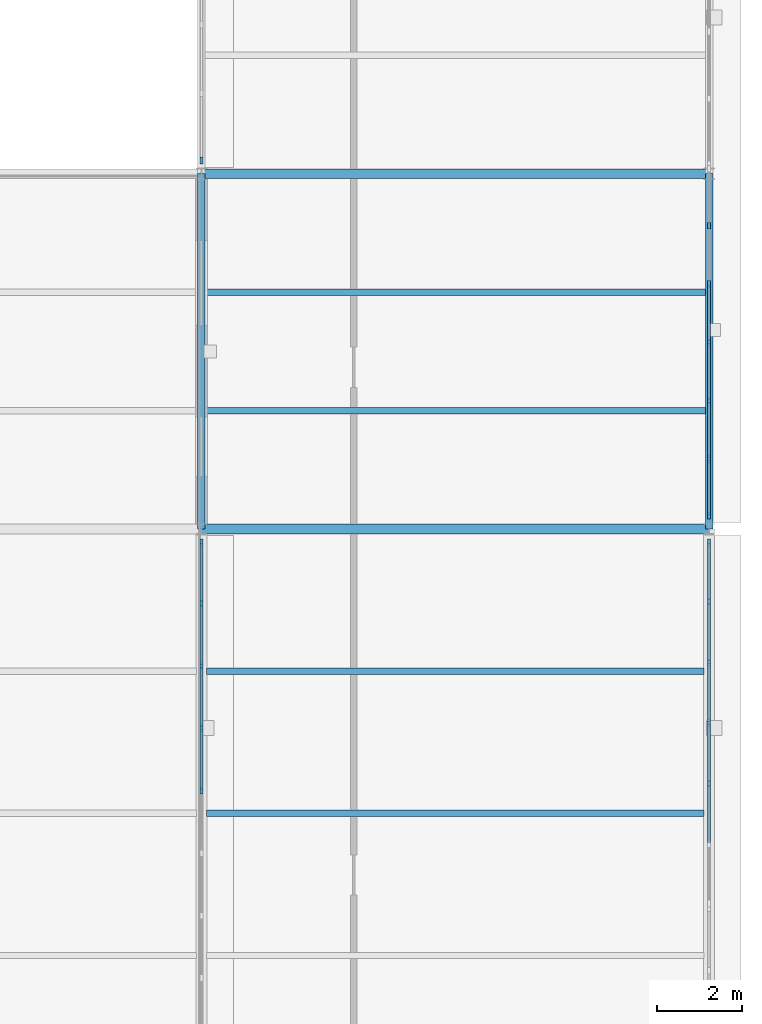
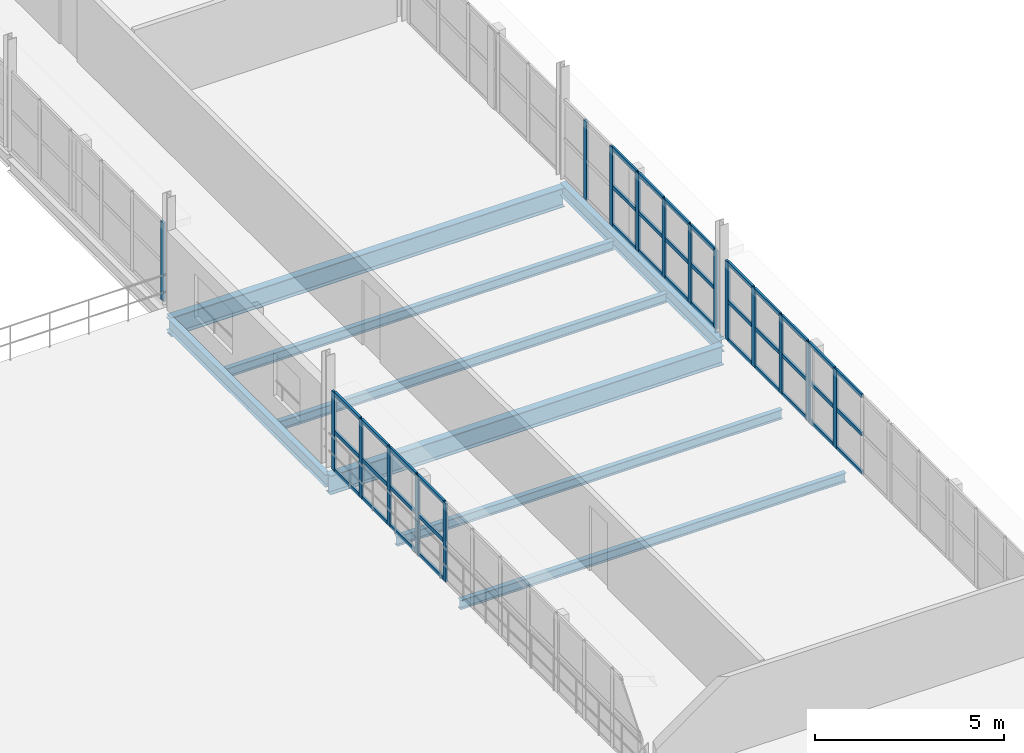
# One storey, part 41 of 74: 56 members, 8 beams, 4 elements without a shape of their own.
"""IFC4 building model written with IfcOpenShell, lengths in metres."""

from ifc_helpers import new_model, si_unit, direction, frame, origin, origin_2d, place, context, subcontext, project, spatial, rectangle, i_section, extrude, material, layer, layer_set, material_profile, profile_set, type_object, element, aggregate, save


model = new_model("IFC4")

# Units and contexts
model_context = context("Model", 3, precision=1e-05, world=origin(), true_north=direction((0.0, 1.0)))
body_context = subcontext(model_context, "Body", "Model", "MODEL_VIEW")
ifc_project = project(units=[si_unit("LENGTHUNIT", "METRE"), si_unit("AREAUNIT", "SQUARE_METRE"), si_unit("VOLUMEUNIT", "CUBIC_METRE"), si_unit("PLANEANGLEUNIT", "RADIAN"), si_unit("MASSUNIT", "GRAM", prefix="KILO"), si_unit("THERMODYNAMICTEMPERATUREUNIT", "KELVIN"), si_unit("POWERUNIT", "WATT")], contexts=[model_context])

# Site, building, storey
site_placement = place(None, origin())
site = spatial("IfcSite", under=ifc_project, at=site_placement, CompositionType="ELEMENT")
building_placement = place(site_placement, origin())
building = spatial("IfcBuilding", under=site, at=building_placement, Name="Tembeka Court Mobility Hub", CompositionType="ELEMENT")
storey_placement = place(building_placement, frame((0.0, 0.0, 12.60009765625)))
storey = spatial("IfcBuildingStorey", under=building, at=storey_placement, Name="L03", CompositionType="ELEMENT", Elevation=12.60009765625)

# Beams
ifc_material_1 = material(Name="Steel S355", Category="steel")
ifc_material_profile_1 = material_profile(ifc_material_1, i_section(OverallWidth=0.177978515625, OverallDepth=0.406005859375, WebThickness=0.0078125, FlangeThickness=0.0126953125, FilletRadius=0.01025390625, at=origin_2d()), Name="UKB 406x178x60")
ifc_profile_set_1 = profile_set([ifc_material_profile_1], Name="Steel S355")
beam_type_1 = type_object("IfcBeamType", Name="BM-B02", PredefinedType="BEAM", material=ifc_profile_set_1)
for number, where, z_axis, x_axis, name in (
    (1, (164.39990234375, 38.39990234375, -0.523193359375), (0.0, 1.0, 0.0), (-1.0, 0.0, 0.0), "Beam B02 (BM-L03-Y1937)"),
    (2, (176.39990234375, 38.39990234375, -0.39306640625), (0.0, 1.0, 0.0), (-1.0, 0.0, 0.0), "Beam B02 (BM-L03-Y1943)"),
):
    element("IfcBeam", number, at=place(storey_placement, frame(where, z_axis=z_axis, x_axis=x_axis)), inside=storey, type_object=beam_type_1, Name=name, PredefinedType="BEAM", context=body_context, shape_type="SweptSolid", body=[
        extrude(i_section(OverallWidth=0.177978515625, OverallDepth=0.406005859375, WebThickness=0.0078125, FlangeThickness=0.0126953125, FilletRadius=0.01025390625, at=origin_2d()), origin(), (0.0, 0.0, 1.0), 8.400146484375),
    ])
ifc_material_profile_2 = material_profile(ifc_material_1, i_section(OverallWidth=0.22900390625, OverallDepth=0.612060546875, WebThickness=0.011962890625, FlangeThickness=0.01953125, FilletRadius=0.0126953125, at=origin_2d()), Name="UKB 610x229x125")
ifc_profile_set_2 = profile_set([ifc_material_profile_2], Name="Steel S355")
beam_type_2 = type_object("IfcBeamType", Name="BM-G02", PredefinedType="USERDEFINED", material=ifc_profile_set_2)
for number, where, z_axis, x_axis, name in (
    (3, (164.39990234375, 38.39990234375, -0.6259765625), (1.0, 0.0, 0.0), (0.0, 1.0, 0.0), "Beam G02 (BM-L03-X1733)"),
    (4, (164.39990234375, 46.800048828125, -0.6259765625), (1.0, 0.0, 0.0), (0.0, 1.0, 0.0), "Beam G02 (BM-L03-X1747)"),
):
    element("IfcBeam", number, at=place(storey_placement, frame(where, z_axis=z_axis, x_axis=x_axis)), inside=storey, type_object=beam_type_2, Name=name, ObjectType="GIRDER", PredefinedType="USERDEFINED", context=body_context, shape_type="SweptSolid", body=[
        extrude(i_section(OverallWidth=0.22900390625, OverallDepth=0.612060546875, WebThickness=0.011962890625, FlangeThickness=0.01953125, FilletRadius=0.0126953125, at=origin_2d()), origin(), (0.0, 0.0, 1.0), 12.0),
    ])
ifc_material_profile_3 = material_profile(ifc_material_1, i_section(OverallWidth=0.14990234375, OverallDepth=0.300048828125, WebThickness=0.007080078125, FlangeThickness=0.0107421875, FilletRadius=0.014892578125, at=origin_2d()), Name="IPE 300")
ifc_profile_set_3 = profile_set([ifc_material_profile_3], Name="Steel S355")
beam_type_3 = type_object("IfcBeamType", Name="BM-J04", PredefinedType="JOIST", material=ifc_profile_set_3)
for number, where, z_axis, x_axis, name in (
    (5, (164.52197265625, 31.679931640625, -0.47021484375), (1.0, 0.0, 0.0), (0.0, 1.0, 0.0), "Beam J04 (JST-L03-2177)"),
    (6, (164.52197265625, 35.0400390625, -0.47021484375), (1.0, 0.0, 0.0), (0.0, 1.0, 0.0), "Beam J04 (JST-L03-2178)"),
):
    element("IfcBeam", number, at=place(storey_placement, frame(where, z_axis=z_axis, x_axis=x_axis)), inside=storey, type_object=beam_type_3, Name=name, PredefinedType="JOIST", context=body_context, shape_type="SweptSolid", body=[
        extrude(i_section(OverallWidth=0.14990234375, OverallDepth=0.300048828125, WebThickness=0.007080078125, FlangeThickness=0.0107421875, FilletRadius=0.014892578125, at=origin_2d()), origin(), (0.0, 0.0, 1.0), 11.756103515625),
    ])
for number, where, z_axis, x_axis, name in (
    (7, (164.48388671875, 41.199951171875, -0.47021484375), (1.0, 0.0, 0.0), (0.0, 1.0, 0.0), "Beam J04 (JST-L03-2179)"),
    (8, (164.48388671875, 44.0, -0.47021484375), (1.0, 0.0, 0.0), (0.0, 1.0, 0.0), "Beam J04 (JST-L03-2180)"),
):
    element("IfcBeam", number, at=place(storey_placement, frame(where, z_axis=z_axis, x_axis=x_axis)), inside=storey, type_object=beam_type_3, Name=name, PredefinedType="JOIST", context=body_context, shape_type="SweptSolid", body=[
        extrude(i_section(OverallWidth=0.14990234375, OverallDepth=0.300048828125, WebThickness=0.007080078125, FlangeThickness=0.0107421875, FilletRadius=0.014892578125, at=origin_2d()), origin(), (0.0, 0.0, 1.0), 11.83203125),
    ])

# Curtain wall, members
ifc_material_2 = material(Name="Anodised aluminium 6063-T6", Category="aluminium")
ifc_layer_1 = layer(ifc_material_2, 0.159912109375)
ifc_layer_set_1 = layer_set([ifc_layer_1], Name="Anodised aluminium 6063-T6")
curtain_wall_type_1 = type_object("IfcCurtainWallType", Name="CW-SYS52", PredefinedType="USERDEFINED", material=ifc_layer_set_1)
curtain_wall_1_placement = place(storey_placement, origin())
curtain_wall_1 = element("IfcCurtainWall", 9, at=curtain_wall_1_placement, inside=storey, type_object=curtain_wall_type_1, Name="Unitised curtain wall CW52 (CW-L03-137)", ObjectType="UNITISED GLAZING", PredefinedType="USERDEFINED")
ifc_material_profile_4 = material_profile(ifc_material_2, rectangle(XDim=0.06494140625, YDim=0.159912109375, at=origin_2d()), Name="ALU-MUL 65x160")
ifc_profile_set_4 = profile_set([ifc_material_profile_4], Name="Anodised aluminium 6063-T6")
member_type_1 = type_object("IfcMemberType", Name="CW-MUL01", PredefinedType="MULLION", material=ifc_profile_set_4)
member_1_placement = place(storey_placement, frame((176.39990234375, 32.384033203125, 0.0), z_axis=(0.0, 0.0, 1.0), x_axis=(-1.0, 0.0, 0.0)))
member_1 = element("IfcMember", 10, at=member_1_placement, type_object=member_type_1, Name="CW52 mullion 3", PredefinedType="MULLION", context=body_context, shape_type="SweptSolid", body=[
    extrude(rectangle(XDim=0.06494140625, YDim=0.159912109375, at=origin_2d()), origin(), (0.0, 0.0, 1.0), 2.534912109375),
])
member_2_placement = place(storey_placement, frame((176.39990234375, 33.818115234375, 0.0), z_axis=(0.0, 0.0, 1.0), x_axis=(-1.0, 0.0, 0.0)))
member_2 = element("IfcMember", 11, at=member_2_placement, type_object=member_type_1, Name="CW52 mullion 4", PredefinedType="MULLION", context=body_context, shape_type="SweptSolid", body=[
    extrude(rectangle(XDim=0.06494140625, YDim=0.159912109375, at=origin_2d()), origin(), (0.0, 0.0, 1.0), 2.534912109375),
])
member_3_placement = place(storey_placement, frame((176.39990234375, 35.251953125, 0.0), z_axis=(0.0, 0.0, 1.0), x_axis=(-1.0, 0.0, 0.0)))
member_3 = element("IfcMember", 12, at=member_3_placement, type_object=member_type_1, Name="CW52 mullion 5", PredefinedType="MULLION", context=body_context, shape_type="SweptSolid", body=[
    extrude(rectangle(XDim=0.06494140625, YDim=0.159912109375, at=origin_2d()), origin(), (0.0, 0.0, 1.0), 2.534912109375),
])
member_4_placement = place(storey_placement, frame((176.39990234375, 36.68603515625, 0.0), z_axis=(0.0, 0.0, 1.0), x_axis=(-1.0, 0.0, 0.0)))
member_4 = element("IfcMember", 13, at=member_4_placement, type_object=member_type_1, Name="CW52 mullion 6", PredefinedType="MULLION", context=body_context, shape_type="SweptSolid", body=[
    extrude(rectangle(XDim=0.06494140625, YDim=0.159912109375, at=origin_2d()), origin(), (0.0, 0.0, 1.0), 2.534912109375),
])
member_5_placement = place(storey_placement, frame((176.39990234375, 38.08740234375, 0.0), z_axis=(0.0, 0.0, 1.0), x_axis=(-1.0, 0.0, 0.0)))
member_5 = element("IfcMember", 14, at=member_5_placement, type_object=member_type_1, Name="CW52 mullion 7", PredefinedType="MULLION", context=body_context, shape_type="SweptSolid", body=[
    extrude(rectangle(XDim=0.06494140625, YDim=0.159912109375, at=origin_2d()), origin(), (0.0, 0.0, 1.0), 2.534912109375),
])

ifc_layer_2 = layer(ifc_material_2, 0.159912109375)
ifc_layer_set_2 = layer_set([ifc_layer_2], Name="Anodised aluminium 6063-T6")
curtain_wall_type_2 = type_object("IfcCurtainWallType", Name="CW-SYS53", PredefinedType="USERDEFINED", material=ifc_layer_set_2)
curtain_wall_2_placement = place(storey_placement, origin())
curtain_wall_2 = element("IfcCurtainWall", 15, at=curtain_wall_2_placement, inside=storey, type_object=curtain_wall_type_2, Name="Unitised curtain wall CW53 (CW-L03-138)", ObjectType="UNITISED GLAZING", PredefinedType="USERDEFINED")
member_6_placement = place(storey_placement, frame((176.39990234375, 38.71240234375, 0.0), z_axis=(0.0, 0.0, 1.0), x_axis=(-1.0, 0.0, 0.0)))
member_6 = element("IfcMember", 16, at=member_6_placement, type_object=member_type_1, Name="CW53 mullion 1", PredefinedType="MULLION", context=body_context, shape_type="SweptSolid", body=[
    extrude(rectangle(XDim=0.06494140625, YDim=0.159912109375, at=origin_2d()), origin(), (0.0, 0.0, 1.0), 2.534912109375),
])
member_7_placement = place(storey_placement, frame((176.39990234375, 40.05810546875, 0.0), z_axis=(0.0, 0.0, 1.0), x_axis=(-1.0, 0.0, 0.0)))
member_7 = element("IfcMember", 17, at=member_7_placement, type_object=member_type_1, Name="CW53 mullion 2", PredefinedType="MULLION", context=body_context, shape_type="SweptSolid", body=[
    extrude(rectangle(XDim=0.06494140625, YDim=0.159912109375, at=origin_2d()), origin(), (0.0, 0.0, 1.0), 2.534912109375),
])
member_8_placement = place(storey_placement, frame((176.39990234375, 41.43603515625, 0.0), z_axis=(0.0, 0.0, 1.0), x_axis=(-1.0, 0.0, 0.0)))
member_8 = element("IfcMember", 18, at=member_8_placement, type_object=member_type_1, Name="CW53 mullion 3", PredefinedType="MULLION", context=body_context, shape_type="SweptSolid", body=[
    extrude(rectangle(XDim=0.06494140625, YDim=0.159912109375, at=origin_2d()), origin(), (0.0, 0.0, 1.0), 2.534912109375),
])
member_9_placement = place(storey_placement, frame((176.39990234375, 42.81396484375, 0.0), z_axis=(0.0, 0.0, 1.0), x_axis=(-1.0, 0.0, 0.0)))
member_9 = element("IfcMember", 19, at=member_9_placement, type_object=member_type_1, Name="CW53 mullion 4", PredefinedType="MULLION", context=body_context, shape_type="SweptSolid", body=[
    extrude(rectangle(XDim=0.06494140625, YDim=0.159912109375, at=origin_2d()), origin(), (0.0, 0.0, 1.0), 2.534912109375),
])
member_10_placement = place(storey_placement, frame((176.39990234375, 44.19189453125, 0.0), z_axis=(0.0, 0.0, 1.0), x_axis=(-1.0, 0.0, 0.0)))
member_10 = element("IfcMember", 20, at=member_10_placement, type_object=member_type_1, Name="CW53 mullion 5", PredefinedType="MULLION", context=body_context, shape_type="SweptSolid", body=[
    extrude(rectangle(XDim=0.06494140625, YDim=0.159912109375, at=origin_2d()), origin(), (0.0, 0.0, 1.0), 2.534912109375),
])
member_11_placement = place(storey_placement, frame((176.39990234375, 45.570068359375, 0.0), z_axis=(0.0, 0.0, 1.0), x_axis=(-1.0, 0.0, 0.0)))
member_11 = element("IfcMember", 21, at=member_11_placement, type_object=member_type_1, Name="CW53 mullion 6", PredefinedType="MULLION", context=body_context, shape_type="SweptSolid", body=[
    extrude(rectangle(XDim=0.06494140625, YDim=0.159912109375, at=origin_2d()), origin(), (0.0, 0.0, 1.0), 2.534912109375),
])

# Curtain wall, member
ifc_layer_3 = layer(ifc_material_2, 0.159912109375)
ifc_layer_set_3 = layer_set([ifc_layer_3], Name="Anodised aluminium 6063-T6")
curtain_wall_type_3 = type_object("IfcCurtainWallType", Name="CW-SYS46", PredefinedType="USERDEFINED", material=ifc_layer_set_3)
curtain_wall_3_placement = place(storey_placement, origin())
curtain_wall_3 = element("IfcCurtainWall", 22, at=curtain_wall_3_placement, inside=storey, type_object=curtain_wall_type_3, Name="Unitised curtain wall CW46 (CW-L03-140)", ObjectType="UNITISED GLAZING", PredefinedType="USERDEFINED")
member_12_placement = place(storey_placement, frame((164.39990234375, 47.112548828125, 0.0), z_axis=(0.0, 0.0, 1.0), x_axis=(-1.0, 0.0, 0.0)))
member_12 = element("IfcMember", 23, at=member_12_placement, type_object=member_type_1, Name="CW46 mullion 1", PredefinedType="MULLION", context=body_context, shape_type="SweptSolid", body=[
    extrude(rectangle(XDim=0.06494140625, YDim=0.159912109375, at=origin_2d()), origin(), (0.0, 0.0, 1.0), 2.534912109375),
])
aggregate(curtain_wall_3, [member_12])

# Curtain wall, members
curtain_wall_4_placement = place(storey_placement, origin())
curtain_wall_4 = element("IfcCurtainWall", 24, at=curtain_wall_4_placement, inside=storey, type_object=curtain_wall_type_3, Name="Unitised curtain wall CW46 (CW-L03-141)", ObjectType="UNITISED GLAZING", PredefinedType="USERDEFINED")
member_13_placement = place(storey_placement, frame((164.39990234375, 32.214599609375, 0.0), z_axis=(0.0, 0.0, 1.0), x_axis=(-1.0, 0.0, 0.0)))
member_13 = element("IfcMember", 25, at=member_13_placement, type_object=member_type_1, Name="CW46 mullion 8", PredefinedType="MULLION", context=body_context, shape_type="SweptSolid", body=[
    extrude(rectangle(XDim=0.06494140625, YDim=0.159912109375, at=origin_2d()), origin(), (0.0, 0.0, 1.0), 2.534912109375),
])
member_14_placement = place(storey_placement, frame((164.39990234375, 33.69091796875, 0.0), z_axis=(0.0, 0.0, 1.0), x_axis=(-1.0, 0.0, 0.0)))
member_14 = element("IfcMember", 26, at=member_14_placement, type_object=member_type_1, Name="CW46 mullion 9", PredefinedType="MULLION", context=body_context, shape_type="SweptSolid", body=[
    extrude(rectangle(XDim=0.06494140625, YDim=0.159912109375, at=origin_2d()), origin(), (0.0, 0.0, 1.0), 2.534912109375),
])
member_15_placement = place(storey_placement, frame((164.39990234375, 35.167236328125, 0.0), z_axis=(0.0, 0.0, 1.0), x_axis=(-1.0, 0.0, 0.0)))
member_15 = element("IfcMember", 27, at=member_15_placement, type_object=member_type_1, Name="CW46 mullion 10", PredefinedType="MULLION", context=body_context, shape_type="SweptSolid", body=[
    extrude(rectangle(XDim=0.06494140625, YDim=0.159912109375, at=origin_2d()), origin(), (0.0, 0.0, 1.0), 2.534912109375),
])
member_16_placement = place(storey_placement, frame((164.39990234375, 36.6435546875, 0.0), z_axis=(0.0, 0.0, 1.0), x_axis=(-1.0, 0.0, 0.0)))
member_16 = element("IfcMember", 28, at=member_16_placement, type_object=member_type_1, Name="CW46 mullion 11", PredefinedType="MULLION", context=body_context, shape_type="SweptSolid", body=[
    extrude(rectangle(XDim=0.06494140625, YDim=0.159912109375, at=origin_2d()), origin(), (0.0, 0.0, 1.0), 2.534912109375),
])
member_17_placement = place(storey_placement, frame((164.39990234375, 38.08740234375, 0.0), z_axis=(0.0, 0.0, 1.0), x_axis=(-1.0, 0.0, 0.0)))
member_17 = element("IfcMember", 29, at=member_17_placement, type_object=member_type_1, Name="CW46 mullion 12", PredefinedType="MULLION", context=body_context, shape_type="SweptSolid", body=[
    extrude(rectangle(XDim=0.06494140625, YDim=0.159912109375, at=origin_2d()), origin(), (0.0, 0.0, 1.0), 2.534912109375),
])

# Member
ifc_material_profile_5 = material_profile(ifc_material_2, rectangle(XDim=0.06494140625, YDim=0.1201171875, at=origin_2d()), Name="ALU-TRN 65x120")
ifc_profile_set_5 = profile_set([ifc_material_profile_5], Name="Anodised aluminium 6063-T6")
member_type_2 = type_object("IfcMemberType", Name="CW-TRN01", PredefinedType="USERDEFINED", material=ifc_profile_set_5)
member_18_placement = place(storey_placement, frame((176.39990234375, 30.982421875, 0.032470703125), z_axis=(0.0, 1.0, 0.0), x_axis=(-1.0, 0.0, 0.0)))
member_18 = element("IfcMember", 30, at=member_18_placement, type_object=member_type_2, Name="CW52 transom 2.1", ObjectType="TRANSOM", PredefinedType="USERDEFINED", context=body_context, shape_type="SweptSolid", body=[
    extrude(rectangle(XDim=0.06494140625, YDim=0.1201171875, at=origin_2d()), origin(), (0.0, 0.0, 1.0), 1.369140625),
])

member_19_placement = place(storey_placement, frame((176.39990234375, 30.982421875, 1.267333984375), z_axis=(0.0, 1.0, 0.0), x_axis=(-1.0, 0.0, 0.0)))
member_19 = element("IfcMember", 31, at=member_19_placement, type_object=member_type_2, Name="CW52 transom 2.2", ObjectType="TRANSOM", PredefinedType="USERDEFINED", context=body_context, shape_type="SweptSolid", body=[
    extrude(rectangle(XDim=0.06494140625, YDim=0.1201171875, at=origin_2d()), origin(), (0.0, 0.0, 1.0), 1.369140625),
])

member_20_placement = place(storey_placement, frame((176.39990234375, 30.982421875, 2.50244140625), z_axis=(0.0, 1.0, 0.0), x_axis=(-1.0, 0.0, 0.0)))
member_20 = element("IfcMember", 32, at=member_20_placement, type_object=member_type_2, Name="CW52 transom 2.3", ObjectType="TRANSOM", PredefinedType="USERDEFINED", context=body_context, shape_type="SweptSolid", body=[
    extrude(rectangle(XDim=0.06494140625, YDim=0.1201171875, at=origin_2d()), origin(), (0.0, 0.0, 1.0), 1.369140625),
])

member_21_placement = place(storey_placement, frame((176.39990234375, 32.41650390625, 0.032470703125), z_axis=(0.0, 1.0, 0.0), x_axis=(-1.0, 0.0, 0.0)))
member_21 = element("IfcMember", 33, at=member_21_placement, type_object=member_type_2, Name="CW52 transom 3.1", ObjectType="TRANSOM", PredefinedType="USERDEFINED", context=body_context, shape_type="SweptSolid", body=[
    extrude(rectangle(XDim=0.06494140625, YDim=0.1201171875, at=origin_2d()), origin(), (0.0, 0.0, 1.0), 1.368896484375),
])

member_22_placement = place(storey_placement, frame((176.39990234375, 32.41650390625, 1.267333984375), z_axis=(0.0, 1.0, 0.0), x_axis=(-1.0, 0.0, 0.0)))
member_22 = element("IfcMember", 34, at=member_22_placement, type_object=member_type_2, Name="CW52 transom 3.2", ObjectType="TRANSOM", PredefinedType="USERDEFINED", context=body_context, shape_type="SweptSolid", body=[
    extrude(rectangle(XDim=0.06494140625, YDim=0.1201171875, at=origin_2d()), origin(), (0.0, 0.0, 1.0), 1.368896484375),
])

member_23_placement = place(storey_placement, frame((176.39990234375, 32.41650390625, 2.50244140625), z_axis=(0.0, 1.0, 0.0), x_axis=(-1.0, 0.0, 0.0)))
member_23 = element("IfcMember", 35, at=member_23_placement, type_object=member_type_2, Name="CW52 transom 3.3", ObjectType="TRANSOM", PredefinedType="USERDEFINED", context=body_context, shape_type="SweptSolid", body=[
    extrude(rectangle(XDim=0.06494140625, YDim=0.1201171875, at=origin_2d()), origin(), (0.0, 0.0, 1.0), 1.368896484375),
])

member_24_placement = place(storey_placement, frame((176.39990234375, 33.8505859375, 0.032470703125), z_axis=(0.0, 1.0, 0.0), x_axis=(-1.0, 0.0, 0.0)))
member_24 = element("IfcMember", 36, at=member_24_placement, type_object=member_type_2, Name="CW52 transom 4.1", ObjectType="TRANSOM", PredefinedType="USERDEFINED", context=body_context, shape_type="SweptSolid", body=[
    extrude(rectangle(XDim=0.06494140625, YDim=0.1201171875, at=origin_2d()), origin(), (0.0, 0.0, 1.0), 1.368896484375),
])

member_25_placement = place(storey_placement, frame((176.39990234375, 33.8505859375, 1.267333984375), z_axis=(0.0, 1.0, 0.0), x_axis=(-1.0, 0.0, 0.0)))
member_25 = element("IfcMember", 37, at=member_25_placement, type_object=member_type_2, Name="CW52 transom 4.2", ObjectType="TRANSOM", PredefinedType="USERDEFINED", context=body_context, shape_type="SweptSolid", body=[
    extrude(rectangle(XDim=0.06494140625, YDim=0.1201171875, at=origin_2d()), origin(), (0.0, 0.0, 1.0), 1.368896484375),
])

member_26_placement = place(storey_placement, frame((176.39990234375, 33.8505859375, 2.50244140625), z_axis=(0.0, 1.0, 0.0), x_axis=(-1.0, 0.0, 0.0)))
member_26 = element("IfcMember", 38, at=member_26_placement, type_object=member_type_2, Name="CW52 transom 4.3", ObjectType="TRANSOM", PredefinedType="USERDEFINED", context=body_context, shape_type="SweptSolid", body=[
    extrude(rectangle(XDim=0.06494140625, YDim=0.1201171875, at=origin_2d()), origin(), (0.0, 0.0, 1.0), 1.368896484375),
])

member_27_placement = place(storey_placement, frame((176.39990234375, 35.284423828125, 0.032470703125), z_axis=(0.0, 1.0, 0.0), x_axis=(-1.0, 0.0, 0.0)))
member_27 = element("IfcMember", 39, at=member_27_placement, type_object=member_type_2, Name="CW52 transom 5.1", ObjectType="TRANSOM", PredefinedType="USERDEFINED", context=body_context, shape_type="SweptSolid", body=[
    extrude(rectangle(XDim=0.06494140625, YDim=0.1201171875, at=origin_2d()), origin(), (0.0, 0.0, 1.0), 1.369140625),
])

member_28_placement = place(storey_placement, frame((176.39990234375, 35.284423828125, 1.267333984375), z_axis=(0.0, 1.0, 0.0), x_axis=(-1.0, 0.0, 0.0)))
member_28 = element("IfcMember", 40, at=member_28_placement, type_object=member_type_2, Name="CW52 transom 5.2", ObjectType="TRANSOM", PredefinedType="USERDEFINED", context=body_context, shape_type="SweptSolid", body=[
    extrude(rectangle(XDim=0.06494140625, YDim=0.1201171875, at=origin_2d()), origin(), (0.0, 0.0, 1.0), 1.369140625),
])

member_29_placement = place(storey_placement, frame((176.39990234375, 35.284423828125, 2.50244140625), z_axis=(0.0, 1.0, 0.0), x_axis=(-1.0, 0.0, 0.0)))
member_29 = element("IfcMember", 41, at=member_29_placement, type_object=member_type_2, Name="CW52 transom 5.3", ObjectType="TRANSOM", PredefinedType="USERDEFINED", context=body_context, shape_type="SweptSolid", body=[
    extrude(rectangle(XDim=0.06494140625, YDim=0.1201171875, at=origin_2d()), origin(), (0.0, 0.0, 1.0), 1.369140625),
])

member_30_placement = place(storey_placement, frame((176.39990234375, 36.718505859375, 0.032470703125), z_axis=(0.0, 1.0, 0.0), x_axis=(-1.0, 0.0, 0.0)))
member_30 = element("IfcMember", 42, at=member_30_placement, type_object=member_type_2, Name="CW52 transom 6.1", ObjectType="TRANSOM", PredefinedType="USERDEFINED", context=body_context, shape_type="SweptSolid", body=[
    extrude(rectangle(XDim=0.06494140625, YDim=0.1201171875, at=origin_2d()), origin(), (0.0, 0.0, 1.0), 1.33642578125),
])

member_31_placement = place(storey_placement, frame((176.39990234375, 36.718505859375, 1.267333984375), z_axis=(0.0, 1.0, 0.0), x_axis=(-1.0, 0.0, 0.0)))
member_31 = element("IfcMember", 43, at=member_31_placement, type_object=member_type_2, Name="CW52 transom 6.2", ObjectType="TRANSOM", PredefinedType="USERDEFINED", context=body_context, shape_type="SweptSolid", body=[
    extrude(rectangle(XDim=0.06494140625, YDim=0.1201171875, at=origin_2d()), origin(), (0.0, 0.0, 1.0), 1.33642578125),
])

member_32_placement = place(storey_placement, frame((176.39990234375, 36.718505859375, 2.50244140625), z_axis=(0.0, 1.0, 0.0), x_axis=(-1.0, 0.0, 0.0)))
member_32 = element("IfcMember", 44, at=member_32_placement, type_object=member_type_2, Name="CW52 transom 6.3", ObjectType="TRANSOM", PredefinedType="USERDEFINED", context=body_context, shape_type="SweptSolid", body=[
    extrude(rectangle(XDim=0.06494140625, YDim=0.1201171875, at=origin_2d()), origin(), (0.0, 0.0, 1.0), 1.33642578125),
])

aggregate(curtain_wall_1, [member_1, member_2, member_3, member_4, member_5, member_18, member_19, member_20, member_21, member_22, member_23, member_24, member_25, member_26, member_27, member_28, member_29, member_30, member_31, member_32])

member_33_placement = place(storey_placement, frame((176.39990234375, 38.7451171875, 0.032470703125), z_axis=(0.0, 1.0, 0.0), x_axis=(-1.0, 0.0, 0.0)))
member_33 = element("IfcMember", 45, at=member_33_placement, type_object=member_type_2, Name="CW53 transom 1.1", ObjectType="TRANSOM", PredefinedType="USERDEFINED", context=body_context, shape_type="SweptSolid", body=[
    extrude(rectangle(XDim=0.06494140625, YDim=0.1201171875, at=origin_2d()), origin(), (0.0, 0.0, 1.0), 1.2802734375),
])

member_34_placement = place(storey_placement, frame((176.39990234375, 38.7451171875, 1.267333984375), z_axis=(0.0, 1.0, 0.0), x_axis=(-1.0, 0.0, 0.0)))
member_34 = element("IfcMember", 46, at=member_34_placement, type_object=member_type_2, Name="CW53 transom 1.2", ObjectType="TRANSOM", PredefinedType="USERDEFINED", context=body_context, shape_type="SweptSolid", body=[
    extrude(rectangle(XDim=0.06494140625, YDim=0.1201171875, at=origin_2d()), origin(), (0.0, 0.0, 1.0), 1.2802734375),
])

member_35_placement = place(storey_placement, frame((176.39990234375, 38.7451171875, 2.50244140625), z_axis=(0.0, 1.0, 0.0), x_axis=(-1.0, 0.0, 0.0)))
member_35 = element("IfcMember", 47, at=member_35_placement, type_object=member_type_2, Name="CW53 transom 1.3", ObjectType="TRANSOM", PredefinedType="USERDEFINED", context=body_context, shape_type="SweptSolid", body=[
    extrude(rectangle(XDim=0.06494140625, YDim=0.1201171875, at=origin_2d()), origin(), (0.0, 0.0, 1.0), 1.2802734375),
])

member_36_placement = place(storey_placement, frame((176.39990234375, 40.090576171875, 0.032470703125), z_axis=(0.0, 1.0, 0.0), x_axis=(-1.0, 0.0, 0.0)))
member_36 = element("IfcMember", 48, at=member_36_placement, type_object=member_type_2, Name="CW53 transom 2.1", ObjectType="TRANSOM", PredefinedType="USERDEFINED", context=body_context, shape_type="SweptSolid", body=[
    extrude(rectangle(XDim=0.06494140625, YDim=0.1201171875, at=origin_2d()), origin(), (0.0, 0.0, 1.0), 1.31298828125),
])

member_37_placement = place(storey_placement, frame((176.39990234375, 40.090576171875, 1.267333984375), z_axis=(0.0, 1.0, 0.0), x_axis=(-1.0, 0.0, 0.0)))
member_37 = element("IfcMember", 49, at=member_37_placement, type_object=member_type_2, Name="CW53 transom 2.2", ObjectType="TRANSOM", PredefinedType="USERDEFINED", context=body_context, shape_type="SweptSolid", body=[
    extrude(rectangle(XDim=0.06494140625, YDim=0.1201171875, at=origin_2d()), origin(), (0.0, 0.0, 1.0), 1.31298828125),
])

member_38_placement = place(storey_placement, frame((176.39990234375, 40.090576171875, 2.50244140625), z_axis=(0.0, 1.0, 0.0), x_axis=(-1.0, 0.0, 0.0)))
member_38 = element("IfcMember", 50, at=member_38_placement, type_object=member_type_2, Name="CW53 transom 2.3", ObjectType="TRANSOM", PredefinedType="USERDEFINED", context=body_context, shape_type="SweptSolid", body=[
    extrude(rectangle(XDim=0.06494140625, YDim=0.1201171875, at=origin_2d()), origin(), (0.0, 0.0, 1.0), 1.31298828125),
])

member_39_placement = place(storey_placement, frame((176.39990234375, 41.468505859375, 0.032470703125), z_axis=(0.0, 1.0, 0.0), x_axis=(-1.0, 0.0, 0.0)))
member_39 = element("IfcMember", 51, at=member_39_placement, type_object=member_type_2, Name="CW53 transom 3.1", ObjectType="TRANSOM", PredefinedType="USERDEFINED", context=body_context, shape_type="SweptSolid", body=[
    extrude(rectangle(XDim=0.06494140625, YDim=0.1201171875, at=origin_2d()), origin(), (0.0, 0.0, 1.0), 1.31298828125),
])

member_40_placement = place(storey_placement, frame((176.39990234375, 41.468505859375, 1.267333984375), z_axis=(0.0, 1.0, 0.0), x_axis=(-1.0, 0.0, 0.0)))
member_40 = element("IfcMember", 52, at=member_40_placement, type_object=member_type_2, Name="CW53 transom 3.2", ObjectType="TRANSOM", PredefinedType="USERDEFINED", context=body_context, shape_type="SweptSolid", body=[
    extrude(rectangle(XDim=0.06494140625, YDim=0.1201171875, at=origin_2d()), origin(), (0.0, 0.0, 1.0), 1.31298828125),
])

member_41_placement = place(storey_placement, frame((176.39990234375, 41.468505859375, 2.50244140625), z_axis=(0.0, 1.0, 0.0), x_axis=(-1.0, 0.0, 0.0)))
member_41 = element("IfcMember", 53, at=member_41_placement, type_object=member_type_2, Name="CW53 transom 3.3", ObjectType="TRANSOM", PredefinedType="USERDEFINED", context=body_context, shape_type="SweptSolid", body=[
    extrude(rectangle(XDim=0.06494140625, YDim=0.1201171875, at=origin_2d()), origin(), (0.0, 0.0, 1.0), 1.31298828125),
])

member_42_placement = place(storey_placement, frame((176.39990234375, 42.846435546875, 0.032470703125), z_axis=(0.0, 1.0, 0.0), x_axis=(-1.0, 0.0, 0.0)))
member_42 = element("IfcMember", 54, at=member_42_placement, type_object=member_type_2, Name="CW53 transom 4.1", ObjectType="TRANSOM", PredefinedType="USERDEFINED", context=body_context, shape_type="SweptSolid", body=[
    extrude(rectangle(XDim=0.06494140625, YDim=0.1201171875, at=origin_2d()), origin(), (0.0, 0.0, 1.0), 1.31298828125),
])

member_43_placement = place(storey_placement, frame((176.39990234375, 42.846435546875, 1.267333984375), z_axis=(0.0, 1.0, 0.0), x_axis=(-1.0, 0.0, 0.0)))
member_43 = element("IfcMember", 55, at=member_43_placement, type_object=member_type_2, Name="CW53 transom 4.2", ObjectType="TRANSOM", PredefinedType="USERDEFINED", context=body_context, shape_type="SweptSolid", body=[
    extrude(rectangle(XDim=0.06494140625, YDim=0.1201171875, at=origin_2d()), origin(), (0.0, 0.0, 1.0), 1.31298828125),
])

member_44_placement = place(storey_placement, frame((176.39990234375, 42.846435546875, 2.50244140625), z_axis=(0.0, 1.0, 0.0), x_axis=(-1.0, 0.0, 0.0)))
member_44 = element("IfcMember", 56, at=member_44_placement, type_object=member_type_2, Name="CW53 transom 4.3", ObjectType="TRANSOM", PredefinedType="USERDEFINED", context=body_context, shape_type="SweptSolid", body=[
    extrude(rectangle(XDim=0.06494140625, YDim=0.1201171875, at=origin_2d()), origin(), (0.0, 0.0, 1.0), 1.31298828125),
])

aggregate(curtain_wall_2, [member_6, member_7, member_8, member_9, member_10, member_11, member_33, member_34, member_35, member_36, member_37, member_38, member_39, member_40, member_41, member_42, member_43, member_44])

member_45_placement = place(storey_placement, frame((164.39990234375, 32.2470703125, 0.032470703125), z_axis=(0.0, 1.0, 0.0), x_axis=(-1.0, 0.0, 0.0)))
member_45 = element("IfcMember", 57, at=member_45_placement, type_object=member_type_2, Name="CW46 transom 8.1", ObjectType="TRANSOM", PredefinedType="USERDEFINED", context=body_context, shape_type="SweptSolid", body=[
    extrude(rectangle(XDim=0.06494140625, YDim=0.1201171875, at=origin_2d()), origin(), (0.0, 0.0, 1.0), 1.411376953125),
])

member_46_placement = place(storey_placement, frame((164.39990234375, 32.2470703125, 1.267333984375), z_axis=(0.0, 1.0, 0.0), x_axis=(-1.0, 0.0, 0.0)))
member_46 = element("IfcMember", 58, at=member_46_placement, type_object=member_type_2, Name="CW46 transom 8.2", ObjectType="TRANSOM", PredefinedType="USERDEFINED", context=body_context, shape_type="SweptSolid", body=[
    extrude(rectangle(XDim=0.06494140625, YDim=0.1201171875, at=origin_2d()), origin(), (0.0, 0.0, 1.0), 1.411376953125),
])

member_47_placement = place(storey_placement, frame((164.39990234375, 32.2470703125, 2.50244140625), z_axis=(0.0, 1.0, 0.0), x_axis=(-1.0, 0.0, 0.0)))
member_47 = element("IfcMember", 59, at=member_47_placement, type_object=member_type_2, Name="CW46 transom 8.3", ObjectType="TRANSOM", PredefinedType="USERDEFINED", context=body_context, shape_type="SweptSolid", body=[
    extrude(rectangle(XDim=0.06494140625, YDim=0.1201171875, at=origin_2d()), origin(), (0.0, 0.0, 1.0), 1.411376953125),
])

member_48_placement = place(storey_placement, frame((164.39990234375, 33.723388671875, 0.032470703125), z_axis=(0.0, 1.0, 0.0), x_axis=(-1.0, 0.0, 0.0)))
member_48 = element("IfcMember", 60, at=member_48_placement, type_object=member_type_2, Name="CW46 transom 9.1", ObjectType="TRANSOM", PredefinedType="USERDEFINED", context=body_context, shape_type="SweptSolid", body=[
    extrude(rectangle(XDim=0.06494140625, YDim=0.1201171875, at=origin_2d()), origin(), (0.0, 0.0, 1.0), 1.411376953125),
])

member_49_placement = place(storey_placement, frame((164.39990234375, 33.723388671875, 1.267333984375), z_axis=(0.0, 1.0, 0.0), x_axis=(-1.0, 0.0, 0.0)))
member_49 = element("IfcMember", 61, at=member_49_placement, type_object=member_type_2, Name="CW46 transom 9.2", ObjectType="TRANSOM", PredefinedType="USERDEFINED", context=body_context, shape_type="SweptSolid", body=[
    extrude(rectangle(XDim=0.06494140625, YDim=0.1201171875, at=origin_2d()), origin(), (0.0, 0.0, 1.0), 1.411376953125),
])

member_50_placement = place(storey_placement, frame((164.39990234375, 33.723388671875, 2.50244140625), z_axis=(0.0, 1.0, 0.0), x_axis=(-1.0, 0.0, 0.0)))
member_50 = element("IfcMember", 62, at=member_50_placement, type_object=member_type_2, Name="CW46 transom 9.3", ObjectType="TRANSOM", PredefinedType="USERDEFINED", context=body_context, shape_type="SweptSolid", body=[
    extrude(rectangle(XDim=0.06494140625, YDim=0.1201171875, at=origin_2d()), origin(), (0.0, 0.0, 1.0), 1.411376953125),
])

member_51_placement = place(storey_placement, frame((164.39990234375, 35.19970703125, 0.032470703125), z_axis=(0.0, 1.0, 0.0), x_axis=(-1.0, 0.0, 0.0)))
member_51 = element("IfcMember", 63, at=member_51_placement, type_object=member_type_2, Name="CW46 transom 10.1", ObjectType="TRANSOM", PredefinedType="USERDEFINED", context=body_context, shape_type="SweptSolid", body=[
    extrude(rectangle(XDim=0.06494140625, YDim=0.1201171875, at=origin_2d()), origin(), (0.0, 0.0, 1.0), 1.411376953125),
])

member_52_placement = place(storey_placement, frame((164.39990234375, 35.19970703125, 1.267333984375), z_axis=(0.0, 1.0, 0.0), x_axis=(-1.0, 0.0, 0.0)))
member_52 = element("IfcMember", 64, at=member_52_placement, type_object=member_type_2, Name="CW46 transom 10.2", ObjectType="TRANSOM", PredefinedType="USERDEFINED", context=body_context, shape_type="SweptSolid", body=[
    extrude(rectangle(XDim=0.06494140625, YDim=0.1201171875, at=origin_2d()), origin(), (0.0, 0.0, 1.0), 1.411376953125),
])

member_53_placement = place(storey_placement, frame((164.39990234375, 35.19970703125, 2.50244140625), z_axis=(0.0, 1.0, 0.0), x_axis=(-1.0, 0.0, 0.0)))
member_53 = element("IfcMember", 65, at=member_53_placement, type_object=member_type_2, Name="CW46 transom 10.3", ObjectType="TRANSOM", PredefinedType="USERDEFINED", context=body_context, shape_type="SweptSolid", body=[
    extrude(rectangle(XDim=0.06494140625, YDim=0.1201171875, at=origin_2d()), origin(), (0.0, 0.0, 1.0), 1.411376953125),
])

member_54_placement = place(storey_placement, frame((164.39990234375, 36.676025390625, 0.032470703125), z_axis=(0.0, 1.0, 0.0), x_axis=(-1.0, 0.0, 0.0)))
member_54 = element("IfcMember", 66, at=member_54_placement, type_object=member_type_2, Name="CW46 transom 11.1", ObjectType="TRANSOM", PredefinedType="USERDEFINED", context=body_context, shape_type="SweptSolid", body=[
    extrude(rectangle(XDim=0.06494140625, YDim=0.1201171875, at=origin_2d()), origin(), (0.0, 0.0, 1.0), 1.37890625),
])

member_55_placement = place(storey_placement, frame((164.39990234375, 36.676025390625, 1.267333984375), z_axis=(0.0, 1.0, 0.0), x_axis=(-1.0, 0.0, 0.0)))
member_55 = element("IfcMember", 67, at=member_55_placement, type_object=member_type_2, Name="CW46 transom 11.2", ObjectType="TRANSOM", PredefinedType="USERDEFINED", context=body_context, shape_type="SweptSolid", body=[
    extrude(rectangle(XDim=0.06494140625, YDim=0.1201171875, at=origin_2d()), origin(), (0.0, 0.0, 1.0), 1.37890625),
])

member_56_placement = place(storey_placement, frame((164.39990234375, 36.676025390625, 2.50244140625), z_axis=(0.0, 1.0, 0.0), x_axis=(-1.0, 0.0, 0.0)))
member_56 = element("IfcMember", 68, at=member_56_placement, type_object=member_type_2, Name="CW46 transom 11.3", ObjectType="TRANSOM", PredefinedType="USERDEFINED", context=body_context, shape_type="SweptSolid", body=[
    extrude(rectangle(XDim=0.06494140625, YDim=0.1201171875, at=origin_2d()), origin(), (0.0, 0.0, 1.0), 1.37890625),
])

aggregate(curtain_wall_4, [member_13, member_14, member_15, member_16, member_17, member_45, member_46, member_47, member_48, member_49, member_50, member_51, member_52, member_53, member_54, member_55, member_56])

save(model, "model.ifc")
